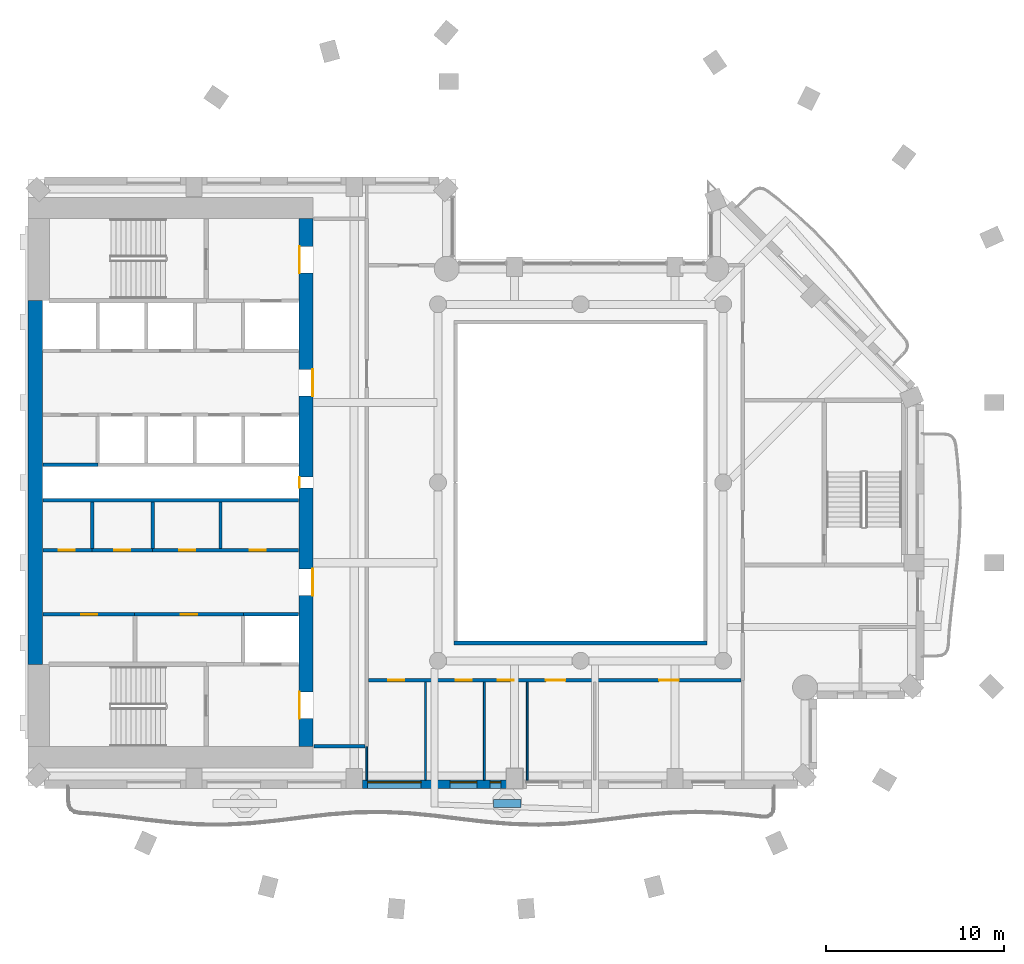
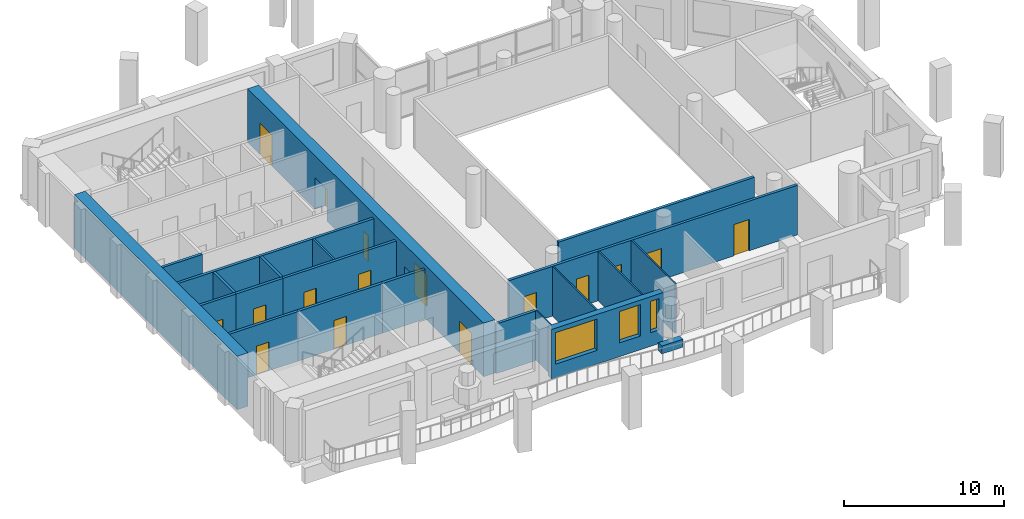
# One storey, part 4 of 14: 22 walls, 16 doors, 3 windows, 19 openings.
"""IFC4 building model written with IfcOpenShell, lengths in metres."""

from ifc_helpers import new_model, si_unit, direction, frame, frame_2d, origin, place, context, subcontext, project, spatial, rectangle, extrude, material, layer, layer_set, type_object, element, fill, save


model = new_model("IFC4")

# Units and contexts
model_context = context("Model", 3, precision=1e-05, world=origin(), true_north=direction((0.0, 1.0)))
body_context = subcontext(model_context, "Body", "Model", "MODEL_VIEW")
ifc_project = project(units=[si_unit("LENGTHUNIT", "METRE"), si_unit("AREAUNIT", "SQUARE_METRE"), si_unit("VOLUMEUNIT", "CUBIC_METRE"), si_unit("PLANEANGLEUNIT", "RADIAN"), si_unit("MASSUNIT", "GRAM", prefix="KILO")], contexts=[model_context])

# Site, building, storey
site_placement = place(None, origin())
site = spatial("IfcSite", under=ifc_project, at=site_placement, CompositionType="ELEMENT")
building_placement = place(site_placement, origin())
building = spatial("IfcBuilding", under=site, at=building_placement, Name="Cypress Arch Tower", CompositionType="ELEMENT")
storey_placement = place(building_placement, frame((0.0, 0.0, 185.10009765625)))
storey = spatial("IfcBuildingStorey", under=building, at=storey_placement, Name="L40", CompositionType="ELEMENT", Elevation=185.10009765625)

# Wall
ifc_material_1 = material(Name="Concrete C40/50, waterproofed", Category="concrete")
ifc_layer_1 = layer(ifc_material_1, 0.449951171875)
ifc_layer_set_1 = layer_set([ifc_layer_1], Name="Balcony planter wall PW450")
wall_type_1 = type_object("IfcWallType", Name="Balcony planter wall PW450", PredefinedType="SOLIDWALL", material=ifc_layer_set_1)
wall_1_placement = place(storey_placement, frame((-3.889892578125, -18.0, 0.0), z_axis=(0.0, 0.0, 1.0), x_axis=(1.0, 0.0, 0.0)))
element("IfcWall", 1, at=wall_1_placement, inside=storey, type_object=wall_type_1, Name="Balcony planter wall L40-B01.2", PredefinedType="SOLIDWALL", context=body_context, shape_type="SweptSolid", body=[
    extrude(rectangle(XDim=1.539794921875, YDim=0.449951171875, at=frame_2d((0.77001953125, 0.0))), origin(), (0.0, 0.0, 1.0), 0.599853515625),
])

# Wall, openings, windows
ifc_material_2 = material(Name="Brick (red buff blend)", Category="masonry")
ifc_layer_2 = layer(ifc_material_2, 0.449951171875)
ifc_layer_set_2 = layer_set([ifc_layer_2], Name="Brick pier and spandrel wall BW450")
wall_type_2 = type_object("IfcWallType", Name="Brick pier and spandrel wall BW450", PredefinedType="SOLIDWALL", material=ifc_layer_set_2)
wall_2_placement = place(storey_placement, frame((-11.25, -16.925048828125, 0.0), z_axis=(0.0, 0.0, 1.0), x_axis=(1.0, 0.0, 0.0)))
wall_2 = element("IfcWall", 2, at=wall_2_placement, inside=storey, type_object=wall_type_2, Name="Brick wall L40 B01.2", PredefinedType="SOLIDWALL", context=body_context, shape_type="SweptSolid", body=[
    extrude(rectangle(XDim=8.10009765625, YDim=0.449951171875, at=frame_2d((4.050048828125, 0.0))), origin(), (0.0, 0.0, 1.0), 3.7998046875),
])
opening_1_placement = place(wall_2_placement, frame((0.300048828125, 0.0, 1.050048828125)))
opening_1 = element("IfcOpeningElement", 3, at=opening_1_placement, cuts=wall_2, Name="Opening W300OD", PredefinedType="OPENING", context=body_context, shape_type="SweptSolid", body=[
    extrude(rectangle(XDim=3.0, YDim=2.39990234375, at=frame_2d((1.5, 1.199951171875))), frame((0.0, 0.23486328125, 0.0), z_axis=(0.0, -1.0, 0.0), x_axis=(1.0, 0.0, 0.0)), (0.0, 0.0, 1.0), 0.469970703125),
])
opening_2_placement = place(wall_2_placement, frame((4.925048828125, 0.0, 1.050048828125)))
opening_2 = element("IfcOpeningElement", 4, at=opening_2_placement, cuts=wall_2, Name="Opening W150OD", PredefinedType="OPENING", context=body_context, shape_type="SweptSolid", body=[
    extrude(rectangle(XDim=1.5, YDim=2.39990234375, at=frame_2d((0.75, 1.199951171875))), frame((0.0, 0.23486328125, 0.0), z_axis=(0.0, -1.0, 0.0), x_axis=(1.0, 0.0, 0.0)), (0.0, 0.0, 1.0), 0.469970703125),
])
opening_3_placement = place(wall_2_placement, frame((7.175048828125, 0.0, 1.050048828125)))
opening_3 = element("IfcOpeningElement", 5, at=opening_3_placement, cuts=wall_2, Name="Opening W060OD", PredefinedType="OPENING", context=body_context, shape_type="SweptSolid", body=[
    extrude(rectangle(XDim=0.60009765625, YDim=2.39990234375, at=frame_2d((0.300048828125, 1.199951171875))), frame((0.0, 0.23486328125, 0.0), z_axis=(0.0, -1.0, 0.0), x_axis=(1.0, 0.0, 0.0)), (0.0, 0.0, 1.0), 0.469970703125),
])
ifc_material_3 = material(Name="Anodised aluminium, bronze finish, laminated low-emissivity double glazing, large-missile impact rated", Category="aluminium")
window_type_1 = type_object("IfcWindowType", Name="Window Office 1500x2400 debris-rated", PartitioningType="SINGLE_PANEL", PredefinedType="WINDOW", material=ifc_material_3)
window_1_placement = place(opening_2_placement, origin())
window_1 = element("IfcWindow", 6, at=window_1_placement, inside=storey, type_object=window_type_1, Name="Window L40 B01.2.2", OverallHeight=2.39990234375, OverallWidth=1.5, PartitioningType="SINGLE_PANEL", PredefinedType="WINDOW", context=body_context, shape_type="SweptSolid", body=[
    extrude(rectangle(XDim=1.5, YDim=2.39990234375, at=frame_2d((0.75, 1.199951171875))), frame((0.0, 0.135009765625, 0.0), z_axis=(0.0, -1.0, 0.0), x_axis=(1.0, 0.0, 0.0)), (0.0, 0.0, 1.0), 0.06005859375),
])
fill(opening_2, window_1)
ifc_material_4 = material(Name="Anodised aluminium, bronze finish, laminated low-emissivity double glazing, large-missile impact rated", Category="aluminium")
window_type_2 = type_object("IfcWindowType", Name="Window Office 3000x2400 debris-rated", PartitioningType="SINGLE_PANEL", PredefinedType="WINDOW", material=ifc_material_4)
window_2_placement = place(opening_1_placement, origin())
window_2 = element("IfcWindow", 7, at=window_2_placement, inside=storey, type_object=window_type_2, Name="Window L40 B01.2.1", OverallHeight=2.39990234375, OverallWidth=3.0, PartitioningType="SINGLE_PANEL", PredefinedType="WINDOW", context=body_context, shape_type="SweptSolid", body=[
    extrude(rectangle(XDim=3.0, YDim=2.39990234375, at=frame_2d((1.5, 1.199951171875))), frame((0.0, 0.135009765625, 0.0), z_axis=(0.0, -1.0, 0.0), x_axis=(1.0, 0.0, 0.0)), (0.0, 0.0, 1.0), 0.06005859375),
])
fill(opening_1, window_2)
ifc_material_5 = material(Name="Anodised aluminium, bronze finish, laminated low-emissivity double glazing, large-missile impact rated", Category="aluminium")
window_type_3 = type_object("IfcWindowType", Name="Window Office 600x2400 debris-rated", PartitioningType="SINGLE_PANEL", PredefinedType="WINDOW", material=ifc_material_5)
window_3_placement = place(opening_3_placement, origin())
window_3 = element("IfcWindow", 8, at=window_3_placement, inside=storey, type_object=window_type_3, Name="Window L40 B01.2.2b", OverallHeight=2.39990234375, OverallWidth=0.60009765625, PartitioningType="SINGLE_PANEL", PredefinedType="WINDOW", context=body_context, shape_type="SweptSolid", body=[
    extrude(rectangle(XDim=0.60009765625, YDim=2.39990234375, at=frame_2d((0.300048828125, 1.199951171875))), frame((0.0, 0.135009765625, 0.0), z_axis=(0.0, -1.0, 0.0), x_axis=(1.0, 0.0, 0.0)), (0.0, 0.0, 1.0), 0.06005859375),
])
fill(opening_3, window_3)

# Wall, openings, doors
ifc_material_6 = material(Name="Concrete C70/85", Category="concrete")
ifc_layer_3 = layer(ifc_material_6, 0.800048828125)
ifc_layer_set_3 = layer_set([ifc_layer_3], Name="Core wall CW800 C70/85")
wall_type_3 = type_object("IfcWallType", Name="Core wall CW800 C70/85", PredefinedType="SHEAR", material=ifc_layer_set_3)
wall_3_placement = place(storey_placement, frame((-14.39990234375, -14.800048828125, 0.0), z_axis=(0.0, 0.0, 1.0), x_axis=(0.0, 1.0, 0.0)))
wall_3 = element("IfcWall", 9, at=wall_3_placement, inside=storey, type_object=wall_type_3, Name="Core wall", PredefinedType="SHEAR", context=body_context, shape_type="SweptSolid", body=[
    extrude(rectangle(XDim=29.60009765625, YDim=0.800048828125, at=frame_2d((14.800048828125, 0.0))), origin(), (0.0, 0.0, 1.0), 4.099853515625),
])
opening_4_placement = place(wall_3_placement, frame((1.550048828125, 0.0, 0.0)))
opening_4 = element("IfcOpeningElement", 10, at=opening_4_placement, cuts=wall_3, Name="Opening D07", PredefinedType="OPENING", context=body_context, shape_type="SweptSolid", body=[
    extrude(rectangle(XDim=1.5, YDim=2.39990234375, at=frame_2d((0.75, 1.199951171875))), frame((0.0, 0.409912109375, 0.0), z_axis=(0.0, -1.0, 0.0), x_axis=(1.0, 0.0, 0.0)), (0.0, 0.0, 1.0), 0.820068359375),
])
opening_5_placement = place(wall_3_placement, frame((26.550048828125, 0.0, 0.0)))
opening_5 = element("IfcOpeningElement", 11, at=opening_5_placement, cuts=wall_3, Name="Opening D07", PredefinedType="OPENING", context=body_context, shape_type="SweptSolid", body=[
    extrude(rectangle(XDim=1.5, YDim=2.39990234375, at=frame_2d((0.75, 1.199951171875))), frame((0.0, 0.409912109375, 0.0), z_axis=(0.0, -1.0, 0.0), x_axis=(1.0, 0.0, 0.0)), (0.0, 0.0, 1.0), 0.820068359375),
])
opening_6_placement = place(wall_3_placement, frame((8.449951171875, 0.0, 0.0)))
opening_6 = element("IfcOpeningElement", 12, at=opening_6_placement, cuts=wall_3, Name="Opening D07", PredefinedType="OPENING", context=body_context, shape_type="SweptSolid", body=[
    extrude(rectangle(XDim=1.5, YDim=2.39990234375, at=frame_2d((0.75, 1.199951171875))), frame((0.0, 0.409912109375, 0.0), z_axis=(0.0, -1.0, 0.0), x_axis=(1.0, 0.0, 0.0)), (0.0, 0.0, 1.0), 0.820068359375),
])
opening_7_placement = place(wall_3_placement, frame((19.64990234375, 0.0, 0.0)))
opening_7 = element("IfcOpeningElement", 13, at=opening_7_placement, cuts=wall_3, Name="Opening D07", PredefinedType="OPENING", context=body_context, shape_type="SweptSolid", body=[
    extrude(rectangle(XDim=1.5, YDim=2.39990234375, at=frame_2d((0.75, 1.199951171875))), frame((0.0, 0.409912109375, 0.0), z_axis=(0.0, -1.0, 0.0), x_axis=(1.0, 0.0, 0.0)), (0.0, 0.0, 1.0), 0.820068359375),
])
opening_8_placement = place(wall_3_placement, frame((14.5, 0.0, 0.0)))
opening_8 = element("IfcOpeningElement", 14, at=opening_8_placement, cuts=wall_3, Name="Opening D08", PredefinedType="OPENING", context=body_context, shape_type="SweptSolid", body=[
    extrude(rectangle(XDim=0.60009765625, YDim=2.0, at=frame_2d((0.300048828125, 1.0))), frame((0.0, 0.409912109375, 0.0), z_axis=(0.0, -1.0, 0.0), x_axis=(1.0, 0.0, 0.0)), (0.0, 0.0, 1.0), 0.820068359375),
])
ifc_material_7 = material(Name="Steel framed glazed door, fire resisting", Category="steel")
door_type_1 = type_object("IfcDoorType", Name="Lobby door D07 1500x2400", OperationType="DOUBLE_DOOR_SINGLE_SWING", PredefinedType="DOOR", material=ifc_material_7)
door_1_placement = place(opening_4_placement, origin())
door_1 = element("IfcDoor", 15, at=door_1_placement, inside=storey, type_object=door_type_1, Name="Lobby door", OperationType="DOUBLE_DOOR_SINGLE_SWING", OverallHeight=2.39990234375, OverallWidth=1.5, PredefinedType="DOOR", context=body_context, shape_type="SweptSolid", body=[
    extrude(rectangle(XDim=1.5, YDim=2.39990234375, at=frame_2d((0.75, 1.199951171875))), frame((0.0, 0.39501953125, 0.0), z_axis=(0.0, -1.0, 0.0), x_axis=(1.0, 0.0, 0.0)), (0.0, 0.0, 1.0), 0.050048828125),
])
fill(opening_4, door_1)
door_2_placement = place(opening_5_placement, origin())
door_2 = element("IfcDoor", 16, at=door_2_placement, inside=storey, type_object=door_type_1, Name="Lobby door", OperationType="DOUBLE_DOOR_SINGLE_SWING", OverallHeight=2.39990234375, OverallWidth=1.5, PredefinedType="DOOR", context=body_context, shape_type="SweptSolid", body=[
    extrude(rectangle(XDim=1.5, YDim=2.39990234375, at=frame_2d((0.75, 1.199951171875))), frame((0.0, 0.39501953125, 0.0), z_axis=(0.0, -1.0, 0.0), x_axis=(1.0, 0.0, 0.0)), (0.0, 0.0, 1.0), 0.050048828125),
])
fill(opening_5, door_2)
door_3_placement = place(opening_6_placement, origin())
door_3 = element("IfcDoor", 17, at=door_3_placement, inside=storey, type_object=door_type_1, Name="Lobby door", OperationType="DOUBLE_DOOR_SINGLE_SWING", OverallHeight=2.39990234375, OverallWidth=1.5, PredefinedType="DOOR", context=body_context, shape_type="SweptSolid", body=[
    extrude(rectangle(XDim=1.5, YDim=2.39990234375, at=frame_2d((0.75, 1.199951171875))), frame((0.0, -0.34521484375, 0.0), z_axis=(0.0, -1.0, 0.0), x_axis=(1.0, 0.0, 0.0)), (0.0, 0.0, 1.0), 0.050048828125),
])
fill(opening_6, door_3)
door_4_placement = place(opening_7_placement, origin())
door_4 = element("IfcDoor", 18, at=door_4_placement, inside=storey, type_object=door_type_1, Name="Lobby door", OperationType="DOUBLE_DOOR_SINGLE_SWING", OverallHeight=2.39990234375, OverallWidth=1.5, PredefinedType="DOOR", context=body_context, shape_type="SweptSolid", body=[
    extrude(rectangle(XDim=1.5, YDim=2.39990234375, at=frame_2d((0.75, 1.199951171875))), frame((0.0, -0.34521484375, 0.0), z_axis=(0.0, -1.0, 0.0), x_axis=(1.0, 0.0, 0.0)), (0.0, 0.0, 1.0), 0.050048828125),
])
fill(opening_7, door_4)
ifc_material_8 = material(Name="Steel access door, fire resisting", Category="steel")
door_type_2 = type_object("IfcDoorType", Name="Riser access door D08 600x2000", OperationType="SINGLE_SWING_LEFT", PredefinedType="DOOR", material=ifc_material_8)
door_5_placement = place(opening_8_placement, origin())
door_5 = element("IfcDoor", 19, at=door_5_placement, inside=storey, type_object=door_type_2, Name="Riser access door", OperationType="SINGLE_SWING_RIGHT", OverallHeight=2.0, OverallWidth=0.60009765625, PredefinedType="DOOR", context=body_context, shape_type="SweptSolid", body=[
    extrude(rectangle(XDim=0.60009765625, YDim=2.0, at=frame_2d((0.300048828125, 1.0))), frame((0.0, 0.39501953125, 0.0), z_axis=(0.0, -1.0, 0.0), x_axis=(1.0, 0.0, 0.0)), (0.0, 0.0, 1.0), 0.050048828125),
])
fill(opening_8, door_5)

# Wall
wall_4_placement = place(storey_placement, frame((-29.60009765625, -10.199951171875, 0.0), z_axis=(0.0, 0.0, 1.0), x_axis=(0.0, 1.0, 0.0)))
element("IfcWall", 20, at=wall_4_placement, inside=storey, type_object=wall_type_3, Name="Core wall", PredefinedType="SHEAR", context=body_context, shape_type="SweptSolid", body=[
    extrude(rectangle(XDim=20.39990234375, YDim=0.800048828125, at=frame_2d((10.199951171875, 0.0))), origin(), (0.0, 0.0, 1.0), 4.099853515625),
])

# Wall, opening, door
ifc_material_9 = material(Name="Concrete blockwork, plastered, rated", Category="masonry")
ifc_layer_4 = layer(ifc_material_9, 0.199951171875)
ifc_layer_set_4 = layer_set([ifc_layer_4], Name="Corridor wall FW200")
wall_type_4 = type_object("IfcWallType", Name="Corridor wall FW200", PredefinedType="PARTITIONING", material=ifc_layer_set_4)
wall_5_placement = place(storey_placement, frame((-29.169921875, -7.39990234375, 0.0), z_axis=(0.0, 0.0, 1.0), x_axis=(1.0, 0.0, 0.0)))
wall_5 = element("IfcWall", 21, at=wall_5_placement, inside=storey, type_object=wall_type_4, Name="Corridor wall", PredefinedType="PARTITIONING", context=body_context, shape_type="SweptSolid", body=[
    extrude(rectangle(XDim=5.14990234375, YDim=0.199951171875, at=frame_2d((2.574951171875, 0.0))), origin(), (0.0, 0.0, 1.0), 3.7998046875),
])
opening_9_placement = place(wall_5_placement, frame((2.14990234375, 0.0, 0.0)))
opening_9 = element("IfcOpeningElement", 22, at=opening_9_placement, cuts=wall_5, Name="Opening D05", PredefinedType="OPENING", context=body_context, shape_type="SweptSolid", body=[
    extrude(rectangle(XDim=0.89990234375, YDim=2.199951171875, at=frame_2d((0.449951171875, 1.10009765625))), frame((0.0, 0.10986328125, 0.0), z_axis=(0.0, -1.0, 0.0), x_axis=(1.0, 0.0, 0.0)), (0.0, 0.0, 1.0), 0.219970703125),
])
ifc_material_10 = material(Name="Timber flush door", Category="wood")
door_type_3 = type_object("IfcDoorType", Name="Service door D05 900x2200", OperationType="SINGLE_SWING_LEFT", PredefinedType="DOOR", material=ifc_material_10)
door_6_placement = place(opening_9_placement, origin())
door_6 = element("IfcDoor", 23, at=door_6_placement, inside=storey, type_object=door_type_3, Name="Service door", OperationType="SINGLE_SWING_LEFT", OverallHeight=2.199951171875, OverallWidth=0.89990234375, PredefinedType="DOOR", context=body_context, shape_type="SweptSolid", body=[
    extrude(rectangle(XDim=0.89990234375, YDim=2.199951171875, at=frame_2d((0.449951171875, 1.10009765625))), frame((0.0, 0.02490234375, 0.0), z_axis=(0.0, -1.0, 0.0), x_axis=(1.0, 0.0, 0.0)), (0.0, 0.0, 1.0), 0.050048828125),
])
fill(opening_9, door_6)

wall_6_placement = place(storey_placement, frame((-29.169921875, -3.800048828125, 0.0), z_axis=(0.0, 0.0, 1.0), x_axis=(1.0, 0.0, 0.0)))
wall_6 = element("IfcWall", 24, at=wall_6_placement, inside=storey, type_object=wall_type_4, Name="Corridor wall", PredefinedType="PARTITIONING", context=body_context, shape_type="SweptSolid", body=[
    extrude(rectangle(XDim=2.75, YDim=0.199951171875, at=frame_2d((1.375, 0.0))), origin(), (0.0, 0.0, 1.0), 3.7998046875),
])
opening_10_placement = place(wall_6_placement, frame((0.89990234375, 0.0, 0.0)))
opening_10 = element("IfcOpeningElement", 25, at=opening_10_placement, cuts=wall_6, Name="Opening D05", PredefinedType="OPENING", context=body_context, shape_type="SweptSolid", body=[
    extrude(rectangle(XDim=0.89990234375, YDim=2.199951171875, at=frame_2d((0.449951171875, 1.10009765625))), frame((0.0, 0.10986328125, 0.0), z_axis=(0.0, -1.0, 0.0), x_axis=(1.0, 0.0, 0.0)), (0.0, 0.0, 1.0), 0.219970703125),
])
door_7_placement = place(opening_10_placement, origin())
door_7 = element("IfcDoor", 26, at=door_7_placement, inside=storey, type_object=door_type_3, Name="Service door", OperationType="SINGLE_SWING_RIGHT", OverallHeight=2.199951171875, OverallWidth=0.89990234375, PredefinedType="DOOR", context=body_context, shape_type="SweptSolid", body=[
    extrude(rectangle(XDim=0.89990234375, YDim=2.199951171875, at=frame_2d((0.449951171875, 1.10009765625))), frame((0.0, 0.02490234375, 0.0), z_axis=(0.0, -1.0, 0.0), x_axis=(1.0, 0.0, 0.0)), (0.0, 0.0, 1.0), 0.050048828125),
])
fill(opening_10, door_7)

# Wall, openings, doors
wall_7_placement = place(storey_placement, frame((-23.02001953125, -3.800048828125, 0.0), z_axis=(0.0, 0.0, 1.0), x_axis=(1.0, 0.0, 0.0)))
wall_7 = element("IfcWall", 27, at=wall_7_placement, inside=storey, type_object=wall_type_4, Name="Corridor wall", PredefinedType="PARTITIONING", context=body_context, shape_type="SweptSolid", body=[
    extrude(rectangle(XDim=8.18994140625, YDim=0.199951171875, at=frame_2d((4.094970703125, 0.0))), origin(), (0.0, 0.0, 1.0), 3.7998046875),
])
opening_11_placement = place(wall_7_placement, frame((1.5, 0.0, 0.0)))
opening_11 = element("IfcOpeningElement", 28, at=opening_11_placement, cuts=wall_7, Name="Opening D05", PredefinedType="OPENING", context=body_context, shape_type="SweptSolid", body=[
    extrude(rectangle(XDim=0.89990234375, YDim=2.199951171875, at=frame_2d((0.449951171875, 1.10009765625))), frame((0.0, 0.10986328125, 0.0), z_axis=(0.0, -1.0, 0.0), x_axis=(1.0, 0.0, 0.0)), (0.0, 0.0, 1.0), 0.219970703125),
])
opening_12_placement = place(wall_7_placement, frame((5.449951171875, 0.0, 0.0)))
opening_12 = element("IfcOpeningElement", 29, at=opening_12_placement, cuts=wall_7, Name="Opening D05", PredefinedType="OPENING", context=body_context, shape_type="SweptSolid", body=[
    extrude(rectangle(XDim=0.89990234375, YDim=2.199951171875, at=frame_2d((0.449951171875, 1.10009765625))), frame((0.0, 0.10986328125, 0.0), z_axis=(0.0, -1.0, 0.0), x_axis=(1.0, 0.0, 0.0)), (0.0, 0.0, 1.0), 0.219970703125),
])
door_8_placement = place(opening_11_placement, origin())
door_8 = element("IfcDoor", 30, at=door_8_placement, inside=storey, type_object=door_type_3, Name="Service door", OperationType="SINGLE_SWING_RIGHT", OverallHeight=2.199951171875, OverallWidth=0.89990234375, PredefinedType="DOOR", context=body_context, shape_type="SweptSolid", body=[
    extrude(rectangle(XDim=0.89990234375, YDim=2.199951171875, at=frame_2d((0.449951171875, 1.10009765625))), frame((0.0, 0.02490234375, 0.0), z_axis=(0.0, -1.0, 0.0), x_axis=(1.0, 0.0, 0.0)), (0.0, 0.0, 1.0), 0.050048828125),
])
fill(opening_11, door_8)
door_9_placement = place(opening_12_placement, origin())
door_9 = element("IfcDoor", 31, at=door_9_placement, inside=storey, type_object=door_type_3, Name="Service door", OperationType="SINGLE_SWING_LEFT", OverallHeight=2.199951171875, OverallWidth=0.89990234375, PredefinedType="DOOR", context=body_context, shape_type="SweptSolid", body=[
    extrude(rectangle(XDim=0.89990234375, YDim=2.199951171875, at=frame_2d((0.449951171875, 1.10009765625))), frame((0.0, 0.02490234375, 0.0), z_axis=(0.0, -1.0, 0.0), x_axis=(1.0, 0.0, 0.0)), (0.0, 0.0, 1.0), 0.050048828125),
])
fill(opening_12, door_9)

# Wall
wall_8_placement = place(storey_placement, frame((-13.969970703125, -14.800048828125, 0.0), z_axis=(0.0, 0.0, 1.0), x_axis=(1.0, 0.0, 0.0)))
element("IfcWall", 32, at=wall_8_placement, inside=storey, type_object=wall_type_4, Name="Corridor wall", PredefinedType="PARTITIONING", context=body_context, shape_type="SweptSolid", body=[
    extrude(rectangle(XDim=2.869873046875, YDim=0.199951171875, at=frame_2d((1.43505859375, 0.0))), origin(), (0.0, 0.0, 1.0), 3.7998046875),
])

# Wall, openings, doors
wall_9_placement = place(storey_placement, frame((-10.89990234375, -11.10009765625, 0.0), z_axis=(0.0, 0.0, 1.0), x_axis=(1.0, 0.0, 0.0)))
wall_9 = element("IfcWall", 33, at=wall_9_placement, inside=storey, type_object=wall_type_4, Name="Corridor wall", PredefinedType="PARTITIONING", context=body_context, shape_type="SweptSolid", body=[
    extrude(rectangle(XDim=20.89990234375, YDim=0.199951171875, at=frame_2d((10.449951171875, 0.0))), origin(), (0.0, 0.0, 1.0), 3.7998046875),
])
opening_13_placement = place(wall_9_placement, frame((1.10009765625, 0.0, 0.0)))
opening_13 = element("IfcOpeningElement", 34, at=opening_13_placement, cuts=wall_9, Name="Opening D03", PredefinedType="OPENING", context=body_context, shape_type="SweptSolid", body=[
    extrude(rectangle(XDim=0.89990234375, YDim=2.199951171875, at=frame_2d((0.449951171875, 1.10009765625))), frame((0.0, 0.10986328125, 0.0), z_axis=(0.0, -1.0, 0.0), x_axis=(1.0, 0.0, 0.0)), (0.0, 0.0, 1.0), 0.219970703125),
])
opening_14_placement = place(wall_9_placement, frame((4.89990234375, 0.0, 0.0)))
opening_14 = element("IfcOpeningElement", 35, at=opening_14_placement, cuts=wall_9, Name="Opening D03", PredefinedType="OPENING", context=body_context, shape_type="SweptSolid", body=[
    extrude(rectangle(XDim=0.89990234375, YDim=2.199951171875, at=frame_2d((0.449951171875, 1.10009765625))), frame((0.0, 0.10986328125, 0.0), z_axis=(0.0, -1.0, 0.0), x_axis=(1.0, 0.0, 0.0)), (0.0, 0.0, 1.0), 0.219970703125),
])
opening_15_placement = place(wall_9_placement, frame((7.25, 0.0, 0.0)))
opening_15 = element("IfcOpeningElement", 36, at=opening_15_placement, cuts=wall_9, Name="Opening D03", PredefinedType="OPENING", context=body_context, shape_type="SweptSolid", body=[
    extrude(rectangle(XDim=0.89990234375, YDim=2.199951171875, at=frame_2d((0.449951171875, 1.10009765625))), frame((0.0, 0.10986328125, 0.0), z_axis=(0.0, -1.0, 0.0), x_axis=(1.0, 0.0, 0.0)), (0.0, 0.0, 1.0), 0.219970703125),
])
opening_16_placement = place(wall_9_placement, frame((9.949951171875, 0.0, 0.0)))
opening_16 = element("IfcOpeningElement", 37, at=opening_16_placement, cuts=wall_9, Name="Opening D01", PredefinedType="OPENING", context=body_context, shape_type="SweptSolid", body=[
    extrude(rectangle(XDim=1.10009765625, YDim=2.39990234375, at=frame_2d((0.550048828125, 1.199951171875))), frame((0.0, 0.10986328125, 0.0), z_axis=(0.0, -1.0, 0.0), x_axis=(1.0, 0.0, 0.0)), (0.0, 0.0, 1.0), 0.219970703125),
])
opening_17_placement = place(wall_9_placement, frame((16.300048828125, 0.0, 0.0)))
opening_17 = element("IfcOpeningElement", 38, at=opening_17_placement, cuts=wall_9, Name="Opening D01", PredefinedType="OPENING", context=body_context, shape_type="SweptSolid", body=[
    extrude(rectangle(XDim=1.10009765625, YDim=2.39990234375, at=frame_2d((0.550048828125, 1.199951171875))), frame((0.0, 0.10986328125, 0.0), z_axis=(0.0, -1.0, 0.0), x_axis=(1.0, 0.0, 0.0)), (0.0, 0.0, 1.0), 0.219970703125),
])
ifc_material_11 = material(Name="Timber flush door, moisture resistant", Category="wood")
door_type_4 = type_object("IfcDoorType", Name="Bathroom door D03 900x2200", OperationType="SINGLE_SWING_LEFT", PredefinedType="DOOR", material=ifc_material_11)
door_10_placement = place(opening_13_placement, origin())
door_10 = element("IfcDoor", 39, at=door_10_placement, inside=storey, type_object=door_type_4, Name="Bathroom door", OperationType="SINGLE_SWING_RIGHT", OverallHeight=2.199951171875, OverallWidth=0.89990234375, PredefinedType="DOOR", context=body_context, shape_type="SweptSolid", body=[
    extrude(rectangle(XDim=0.89990234375, YDim=2.199951171875, at=frame_2d((0.449951171875, 1.10009765625))), frame((0.0, 0.02490234375, 0.0), z_axis=(0.0, -1.0, 0.0), x_axis=(1.0, 0.0, 0.0)), (0.0, 0.0, 1.0), 0.050048828125),
])
fill(opening_13, door_10)
door_11_placement = place(opening_14_placement, origin())
door_11 = element("IfcDoor", 40, at=door_11_placement, inside=storey, type_object=door_type_4, Name="Bathroom door", OperationType="SINGLE_SWING_LEFT", OverallHeight=2.199951171875, OverallWidth=0.89990234375, PredefinedType="DOOR", context=body_context, shape_type="SweptSolid", body=[
    extrude(rectangle(XDim=0.89990234375, YDim=2.199951171875, at=frame_2d((0.449951171875, 1.10009765625))), frame((0.0, 0.02490234375, 0.0), z_axis=(0.0, -1.0, 0.0), x_axis=(1.0, 0.0, 0.0)), (0.0, 0.0, 1.0), 0.050048828125),
])
fill(opening_14, door_11)
door_12_placement = place(opening_15_placement, origin())
door_12 = element("IfcDoor", 41, at=door_12_placement, inside=storey, type_object=door_type_4, Name="Bathroom door", OperationType="SINGLE_SWING_RIGHT", OverallHeight=2.199951171875, OverallWidth=0.89990234375, PredefinedType="DOOR", context=body_context, shape_type="SweptSolid", body=[
    extrude(rectangle(XDim=0.89990234375, YDim=2.199951171875, at=frame_2d((0.449951171875, 1.10009765625))), frame((0.0, 0.02490234375, 0.0), z_axis=(0.0, -1.0, 0.0), x_axis=(1.0, 0.0, 0.0)), (0.0, 0.0, 1.0), 0.050048828125),
])
fill(opening_15, door_12)
ifc_material_12 = material(Name="Timber flush door, fire resisting, self-closing", Category="wood")
door_type_5 = type_object("IfcDoorType", Name="Unit entrance door D01 1100x2400", OperationType="SINGLE_SWING_LEFT", PredefinedType="DOOR", material=ifc_material_12)
door_13_placement = place(opening_16_placement, origin())
door_13 = element("IfcDoor", 42, at=door_13_placement, inside=storey, type_object=door_type_5, Name="Unit entrance door", OperationType="SINGLE_SWING_RIGHT", OverallHeight=2.39990234375, OverallWidth=1.10009765625, PredefinedType="DOOR", context=body_context, shape_type="SweptSolid", body=[
    extrude(rectangle(XDim=1.10009765625, YDim=2.39990234375, at=frame_2d((0.550048828125, 1.199951171875))), frame((0.0, 0.02490234375, 0.0), z_axis=(0.0, -1.0, 0.0), x_axis=(1.0, 0.0, 0.0)), (0.0, 0.0, 1.0), 0.050048828125),
])
fill(opening_16, door_13)
door_14_placement = place(opening_17_placement, origin())
door_14 = element("IfcDoor", 43, at=door_14_placement, inside=storey, type_object=door_type_5, Name="Unit entrance door", OperationType="SINGLE_SWING_LEFT", OverallHeight=2.39990234375, OverallWidth=1.10009765625, PredefinedType="DOOR", context=body_context, shape_type="SweptSolid", body=[
    extrude(rectangle(XDim=1.10009765625, YDim=2.39990234375, at=frame_2d((0.550048828125, 1.199951171875))), frame((0.0, 0.02490234375, 0.0), z_axis=(0.0, -1.0, 0.0), x_axis=(1.0, 0.0, 0.0)), (0.0, 0.0, 1.0), 0.050048828125),
])
fill(opening_17, door_14)

# Walls
wall_10_placement = place(storey_placement, frame((-6.10009765625, -9.0, 0.0), z_axis=(0.0, 0.0, 1.0), x_axis=(1.0, 0.0, 0.0)))
element("IfcWall", 44, at=wall_10_placement, inside=storey, type_object=wall_type_4, Name="Corridor wall", PredefinedType="PARTITIONING", context=body_context, shape_type="SweptSolid", body=[
    extrude(rectangle(XDim=14.2001953125, YDim=0.199951171875, at=frame_2d((7.10009765625, 0.0))), origin(), (0.0, 0.0, 1.0), 3.7998046875),
])
ifc_material_13 = material(Name="Blockwork, plastered both sides", Category="masonry")
ifc_layer_5 = layer(ifc_material_13, 0.14990234375)
ifc_layer_set_5 = layer_set([ifc_layer_5], Name="Partition PW150")
wall_type_5 = type_object("IfcWallType", Name="Partition PW150", PredefinedType="PARTITIONING", material=ifc_layer_set_5)
wall_11_placement = place(storey_placement, frame((-19.199951171875, -3.699951171875, 0.0), z_axis=(0.0, 0.0, 1.0), x_axis=(0.0, 1.0, 0.0)))
element("IfcWall", 45, at=wall_11_placement, inside=storey, type_object=wall_type_5, Name="Partition", PredefinedType="PARTITIONING", context=body_context, shape_type="SweptSolid", body=[
    extrude(rectangle(XDim=2.599853515625, YDim=0.14990234375, at=frame_2d((1.2998046875, 0.0))), origin(), (0.0, 0.0, 1.0), 3.7998046875),
])
ifc_material_14 = material(Name="Reinforced blockwork, plastered, rated", Category="masonry")
ifc_layer_6 = layer(ifc_material_14, 0.199951171875)
ifc_layer_set_6 = layer_set([ifc_layer_6], Name="Plant and riser wall PL200")
wall_type_6 = type_object("IfcWallType", Name="Plant and riser wall PL200", PredefinedType="PARTITIONING", material=ifc_layer_set_6)
wall_12_placement = place(storey_placement, frame((-29.169921875, -1.0, 0.0), z_axis=(0.0, 0.0, 1.0), x_axis=(1.0, 0.0, 0.0)))
element("IfcWall", 46, at=wall_12_placement, inside=storey, type_object=wall_type_6, Name="Plant and riser wall", PredefinedType="PARTITIONING", context=body_context, shape_type="SweptSolid", body=[
    extrude(rectangle(XDim=14.33984375, YDim=0.199951171875, at=frame_2d((7.169921875, 0.0))), origin(), (0.0, 0.0, 1.0), 3.7998046875),
])
wall_13_placement = place(storey_placement, frame((-29.169921875, 1.0, 0.0), z_axis=(0.0, 0.0, 1.0), x_axis=(1.0, 0.0, 0.0)))
element("IfcWall", 47, at=wall_13_placement, inside=storey, type_object=wall_type_6, Name="Plant and riser wall", PredefinedType="PARTITIONING", context=body_context, shape_type="SweptSolid", body=[
    extrude(rectangle(XDim=3.08984375, YDim=0.199951171875, at=frame_2d((1.544921875, 0.0))), origin(), (0.0, 0.0, 1.0), 3.7998046875),
])

# Wall, opening, door
wall_14_placement = place(storey_placement, frame((-26.419921875, -3.800048828125, 0.0), z_axis=(0.0, 0.0, 1.0), x_axis=(1.0, 0.0, 0.0)))
wall_14 = element("IfcWall", 48, at=wall_14_placement, inside=storey, type_object=wall_type_6, Name="Plant and riser wall", PredefinedType="PARTITIONING", context=body_context, shape_type="SweptSolid", body=[
    extrude(rectangle(XDim=3.39990234375, YDim=0.199951171875, at=frame_2d((1.699951171875, 0.0))), origin(), (0.0, 0.0, 1.0), 3.7998046875),
])
opening_18_placement = place(wall_14_placement, frame((1.25, 0.0, 0.0)))
opening_18 = element("IfcOpeningElement", 49, at=opening_18_placement, cuts=wall_14, Name="Opening D05", PredefinedType="OPENING", context=body_context, shape_type="SweptSolid", body=[
    extrude(rectangle(XDim=0.89990234375, YDim=2.199951171875, at=frame_2d((0.449951171875, 1.10009765625))), frame((0.0, 0.10986328125, 0.0), z_axis=(0.0, -1.0, 0.0), x_axis=(1.0, 0.0, 0.0)), (0.0, 0.0, 1.0), 0.219970703125),
])
door_15_placement = place(opening_18_placement, origin())
door_15 = element("IfcDoor", 50, at=door_15_placement, inside=storey, type_object=door_type_3, Name="Service door", OperationType="SINGLE_SWING_LEFT", OverallHeight=2.199951171875, OverallWidth=0.89990234375, PredefinedType="DOOR", context=body_context, shape_type="SweptSolid", body=[
    extrude(rectangle(XDim=0.89990234375, YDim=2.199951171875, at=frame_2d((0.449951171875, 1.10009765625))), frame((0.0, 0.02490234375, 0.0), z_axis=(0.0, -1.0, 0.0), x_axis=(1.0, 0.0, 0.0)), (0.0, 0.0, 1.0), 0.050048828125),
])
fill(opening_18, door_15)

# Wall
wall_15_placement = place(storey_placement, frame((-26.39990234375, -3.699951171875, 0.0), z_axis=(0.0, 0.0, 1.0), x_axis=(0.0, 1.0, 0.0)))
element("IfcWall", 51, at=wall_15_placement, inside=storey, type_object=wall_type_6, Name="Plant and riser wall", PredefinedType="PARTITIONING", context=body_context, shape_type="SweptSolid", body=[
    extrude(rectangle(XDim=2.599853515625, YDim=0.199951171875, at=frame_2d((1.2998046875, 0.0))), origin(), (0.0, 0.0, 1.0), 3.7998046875),
])

# Wall, opening, door
wall_16_placement = place(storey_placement, frame((-24.02001953125, -7.39990234375, 0.0), z_axis=(0.0, 0.0, 1.0), x_axis=(1.0, 0.0, 0.0)))
wall_16 = element("IfcWall", 52, at=wall_16_placement, inside=storey, type_object=wall_type_6, Name="Plant and riser wall", PredefinedType="PARTITIONING", context=body_context, shape_type="SweptSolid", body=[
    extrude(rectangle(XDim=6.1201171875, YDim=0.199951171875, at=frame_2d((3.06005859375, 0.0))), origin(), (0.0, 0.0, 1.0), 3.7998046875),
])
opening_19_placement = place(wall_16_placement, frame((2.60009765625, 0.0, 0.0)))
opening_19 = element("IfcOpeningElement", 53, at=opening_19_placement, cuts=wall_16, Name="Opening D05", PredefinedType="OPENING", context=body_context, shape_type="SweptSolid", body=[
    extrude(rectangle(XDim=0.89990234375, YDim=2.199951171875, at=frame_2d((0.449951171875, 1.10009765625))), frame((0.0, 0.10986328125, 0.0), z_axis=(0.0, -1.0, 0.0), x_axis=(1.0, 0.0, 0.0)), (0.0, 0.0, 1.0), 0.219970703125),
])
door_16_placement = place(opening_19_placement, origin())
door_16 = element("IfcDoor", 54, at=door_16_placement, inside=storey, type_object=door_type_3, Name="Service door", OperationType="SINGLE_SWING_RIGHT", OverallHeight=2.199951171875, OverallWidth=0.89990234375, PredefinedType="DOOR", context=body_context, shape_type="SweptSolid", body=[
    extrude(rectangle(XDim=0.89990234375, YDim=2.199951171875, at=frame_2d((0.449951171875, 1.10009765625))), frame((0.0, 0.02490234375, 0.0), z_axis=(0.0, -1.0, 0.0), x_axis=(1.0, 0.0, 0.0)), (0.0, 0.0, 1.0), 0.050048828125),
])
fill(opening_19, door_16)

# Walls
wall_17_placement = place(storey_placement, frame((-23.0, -3.699951171875, 0.0), z_axis=(0.0, 0.0, 1.0), x_axis=(0.0, 1.0, 0.0)))
element("IfcWall", 55, at=wall_17_placement, inside=storey, type_object=wall_type_6, Name="Plant and riser wall", PredefinedType="PARTITIONING", context=body_context, shape_type="SweptSolid", body=[
    extrude(rectangle(XDim=2.599853515625, YDim=0.199951171875, at=frame_2d((1.2998046875, 0.0))), origin(), (0.0, 0.0, 1.0), 3.7998046875),
])
ifc_material_15 = material(Name="Concrete C50/60", Category="concrete")
ifc_layer_7 = layer(ifc_material_15, 0.199951171875)
ifc_layer_set_7 = layer_set([ifc_layer_7], Name="Shaft wall SH200")
wall_type_7 = type_object("IfcWallType", Name="Shaft wall SH200", PredefinedType="SHEAR", material=ifc_layer_set_7)
wall_18_placement = place(storey_placement, frame((-17.89990234375, -7.39990234375, 0.0), z_axis=(0.0, 0.0, 1.0), x_axis=(1.0, 0.0, 0.0)))
element("IfcWall", 56, at=wall_18_placement, inside=storey, type_object=wall_type_7, Name="Shaft wall", PredefinedType="SHEAR", context=body_context, shape_type="SweptSolid", body=[
    extrude(rectangle(XDim=3.06982421875, YDim=0.199951171875, at=frame_2d((1.534912109375, 0.0))), origin(), (0.0, 0.0, 1.0), 3.7998046875),
])
ifc_material_16 = material(Name="Moisture resistant board on steel studs, tiled", Category="steel")
ifc_layer_8 = layer(ifc_material_16, 0.10009765625)
ifc_layer_set_8 = layer_set([ifc_layer_8], Name="Wet wall PW100")
wall_type_8 = type_object("IfcWallType", Name="Wet wall PW100", PredefinedType="PARTITIONING", material=ifc_layer_set_8)
wall_19_placement = place(storey_placement, frame((-11.0, -16.699951171875, 0.0), z_axis=(0.0, 0.0, 1.0), x_axis=(0.0, 1.0, 0.0)))
element("IfcWall", 57, at=wall_19_placement, inside=storey, type_object=wall_type_8, Name="Wet wall", PredefinedType="PARTITIONING", context=body_context, shape_type="SweptSolid", body=[
    extrude(rectangle(XDim=1.8798828125, YDim=0.10009765625, at=frame_2d((0.93994140625, 0.0))), origin(), (0.0, 0.0, 1.0), 3.7998046875),
])
for number, where, z_axis, x_axis, name in (
    (58, (-7.699951171875, -16.699951171875, 0.0), (0.0, 0.0, 1.0), (0.0, 1.0, 0.0), "Wet wall"),
    (59, (-4.39990234375, -16.699951171875, 0.0), (0.0, 0.0, 1.0), (0.0, 1.0, 0.0), "Wet wall"),
    (60, (-2.0, -16.699951171875, 0.0), (0.0, 0.0, 1.0), (0.0, 1.0, 0.0), "Wet wall"),
):
    element("IfcWall", number, at=place(storey_placement, frame(where, z_axis=z_axis, x_axis=x_axis)), inside=storey, type_object=wall_type_8, Name=name, PredefinedType="PARTITIONING", context=body_context, shape_type="SweptSolid", body=[
        extrude(rectangle(XDim=5.5, YDim=0.10009765625, at=frame_2d((2.75, 0.0))), origin(), (0.0, 0.0, 1.0), 3.7998046875),
    ])

save(model, "model.ifc")
